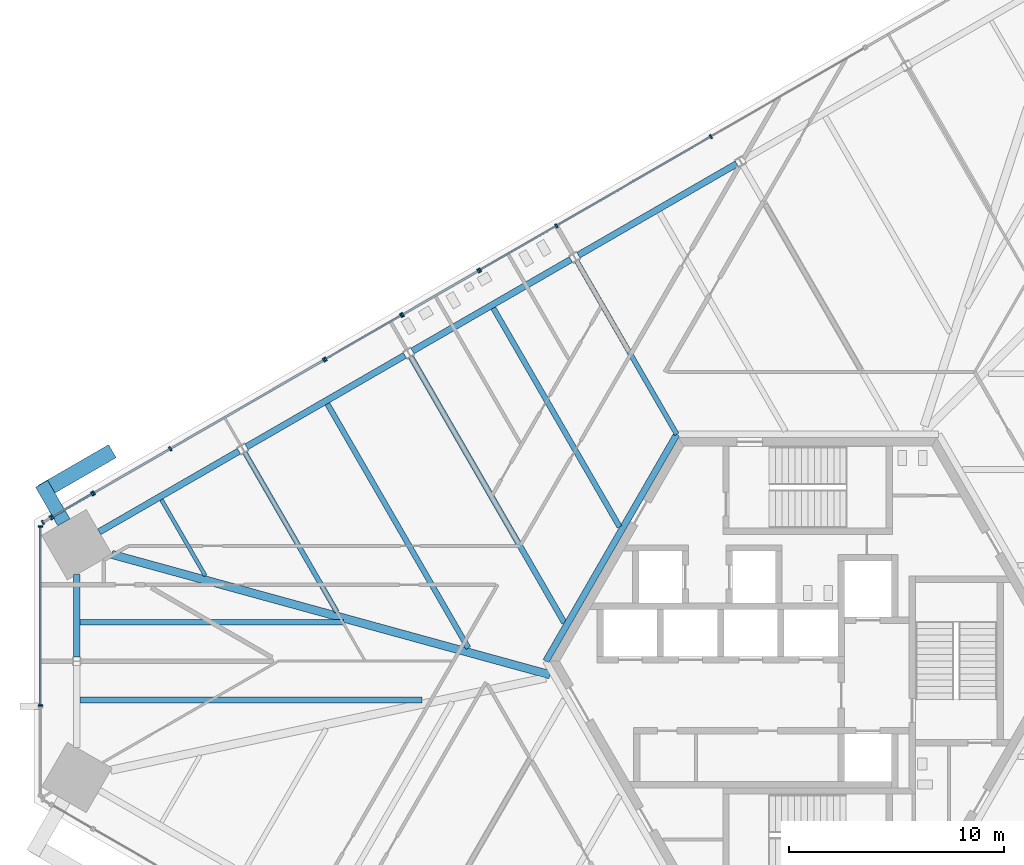
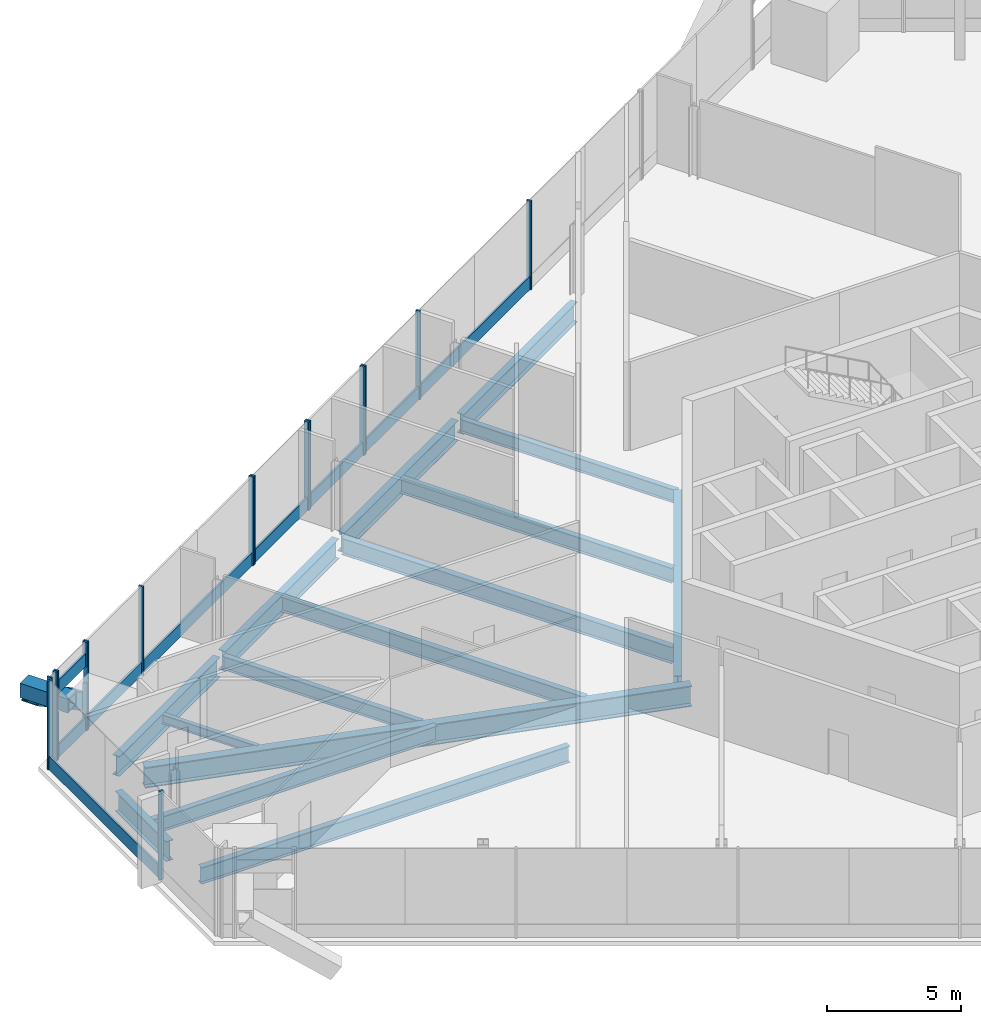
# One storey, part 6 of 22: 29 members, 15 beams, 8 elements without a shape of their own.
"""IFC4 building model written with IfcOpenShell, lengths in metres."""

from ifc_helpers import new_model, si_unit, direction, frame, origin, origin_2d, place, context, subcontext, project, spatial, rectangle, hollow_rectangle, i_section, extrude, source, transform, mapped, material, material_profile, profile_set, type_object, element, aggregate, save


model = new_model("IFC4")

# Units and contexts
model_context = context("Model", 3, precision=1e-05, world=origin(), true_north=direction((0.0, 1.0)))
body_context = subcontext(model_context, "Body", "Model", "MODEL_VIEW")
ifc_project = project(units=[si_unit("LENGTHUNIT", "METRE"), si_unit("AREAUNIT", "SQUARE_METRE"), si_unit("VOLUMEUNIT", "CUBIC_METRE"), si_unit("PLANEANGLEUNIT", "RADIAN"), si_unit("MASSUNIT", "GRAM", prefix="KILO")], contexts=[model_context])

# Site, building, storey
site_placement = place(None, origin())
site = spatial("IfcSite", under=ifc_project, at=site_placement, CompositionType="ELEMENT")
building_placement = place(site_placement, origin())
building = spatial("IfcBuilding", under=site, at=building_placement, Name="Triune Harvest Tower", CompositionType="ELEMENT")
storey_placement = place(building_placement, frame((0.0, 0.0, 50.39990234375)))
storey = spatial("IfcBuildingStorey", under=building, at=storey_placement, Name="L11", CompositionType="ELEMENT", Elevation=50.39990234375)

# Beams
ifc_material_1 = material(Name="Steel ASTM A992 Gr 50", Category="steel")
ifc_material_profile_1 = material_profile(ifc_material_1, i_section(OverallWidth=0.3046875, OverallDepth=0.914306640625, WebThickness=0.0166015625, FlangeThickness=0.02587890625, at=origin_2d()), Name="W36x160")
ifc_profile_set_1 = profile_set([ifc_material_profile_1], Name="Steel ASTM A992 Gr 50")
beam_type_1 = type_object("IfcBeamType", Name="CG-1 Core ring girder W36x160", PredefinedType="BEAM", material=ifc_profile_set_1)
shared_shape_1 = source(origin(), body_context, "Body", "SweptSolid", [
    extrude(i_section(OverallWidth=0.3046875, OverallDepth=0.914306640625, WebThickness=0.0166015625, FlangeThickness=0.02587890625, at=origin_2d()), origin(), (0.0, 0.0, 1.0), 12.176025390625),
])
beam_1_placement = place(storey_placement, frame((-6.087890625, 10.544677734375, -0.656982421875), z_axis=(-0.5000099932, -0.866019634131, 0.0), x_axis=(0.866019634131, -0.5000099932, 0.0)))
element("IfcBeam", 1, at=beam_1_placement, inside=storey, type_object=beam_type_1, Name="beam/L11/CG3", PredefinedType="BEAM", context=body_context, shape_type="MappedRepresentation", body=[
    mapped(shared_shape_1, transform((0.0, 0.0, 0.0), scale=1.0)),
])
ifc_material_2 = material(Name="Steel ASTM A992 Gr 50", Category="steel")
ifc_material_profile_2 = material_profile(ifc_material_2, i_section(OverallWidth=0.383544921875, OverallDepth=0.9423828125, WebThickness=0.022216796875, FlangeThickness=0.039794921875, at=origin_2d()), Name="W36x232")
ifc_profile_set_2 = profile_set([ifc_material_profile_2], Name="Steel ASTM A992 Gr 50")
beam_type_2 = type_object("IfcBeamType", Name="HG-1 Hip girder W36x232", PredefinedType="BEAM", material=ifc_profile_set_2)
shared_shape_2 = source(origin(), body_context, "Body", "SweptSolid", [
    extrude(i_section(OverallWidth=0.383544921875, OverallDepth=0.9423828125, WebThickness=0.022216796875, FlangeThickness=0.039794921875, at=origin_2d()), origin(), (0.0, 0.0, 1.0), 21.13232421875),
])
beam_2_placement = place(storey_placement, frame((-32.3623046875, 4.963134765625, -0.671142578125), z_axis=(0.964269976316, -0.264921521918, 0.0), x_axis=(0.264921521918, 0.964269976316, 0.0)))
element("IfcBeam", 2, at=beam_2_placement, inside=storey, type_object=beam_type_2, Name="beam/L11/HG4", PredefinedType="BEAM", context=body_context, shape_type="MappedRepresentation", body=[
    mapped(shared_shape_2, transform((0.0, 0.0, 0.0), scale=1.0)),
])
ifc_material_3 = material(Name="Steel ASTM A992 Gr 50", Category="steel")
ifc_material_profile_3 = material_profile(ifc_material_3, i_section(OverallWidth=0.2666015625, OverallDepth=0.7568359375, WebThickness=0.013916015625, FlangeThickness=0.019287109375, at=origin_2d()), Name="W30x108")
ifc_profile_set_3 = profile_set([ifc_material_profile_3], Name="Steel ASTM A992 Gr 50")
beam_type_3 = type_object("IfcBeamType", Name="JT-5 Floor joist W30x108", PredefinedType="JOIST", material=ifc_profile_set_3)
shared_shape_3 = source(origin(), body_context, "Body", "SweptSolid", [
    extrude(i_section(OverallWidth=0.2666015625, OverallDepth=0.7568359375, WebThickness=0.013916015625, FlangeThickness=0.019287109375, at=origin_2d()), origin(), (0.0, 0.0, 1.0), 14.2685546875),
])
beam_3_placement = place(storey_placement, frame((-18.454345703125, 14.14404296875, -0.578369140625), z_axis=(0.499987083308, -0.866032861112, 0.0), x_axis=(0.866032861112, 0.499987083308, 0.0)))
element("IfcBeam", 3, at=beam_3_placement, inside=storey, type_object=beam_type_3, Name="beam/L11/JT21", PredefinedType="JOIST", context=body_context, shape_type="MappedRepresentation", body=[
    mapped(shared_shape_3, transform((0.0, 0.0, 0.0), scale=1.0)),
])
ifc_material_4 = material(Name="Steel ASTM A992 Gr 50", Category="steel")
ifc_material_profile_4 = material_profile(ifc_material_4, i_section(OverallWidth=0.22900390625, OverallDepth=0.612060546875, WebThickness=0.011962890625, FlangeThickness=0.01953125, at=origin_2d()), Name="W24x84")
ifc_profile_set_4 = profile_set([ifc_material_profile_4], Name="Steel ASTM A992 Gr 50")
beam_type_4 = type_object("IfcBeamType", Name="JT-3 Floor joist W24x84", PredefinedType="JOIST", material=ifc_profile_set_4)
shared_shape_4 = source(origin(), body_context, "Body", "SweptSolid", [
    extrude(i_section(OverallWidth=0.22900390625, OverallDepth=0.612060546875, WebThickness=0.011962890625, FlangeThickness=0.01953125, at=origin_2d()), origin(), (0.0, 0.0, 1.0), 8.54736328125),
])
beam_4_placement = place(storey_placement, frame((-26.170654296875, 9.68896484375, -0.506103515625), z_axis=(0.500006795031, -0.866021480636, 0.0), x_axis=(0.866021480636, 0.500006795031, 0.0)))
element("IfcBeam", 4, at=beam_4_placement, inside=storey, type_object=beam_type_4, Name="beam/L11/JT23", PredefinedType="JOIST", context=body_context, shape_type="MappedRepresentation", body=[
    mapped(shared_shape_4, transform((0.0, 0.0, 0.0), scale=1.0)),
])
shared_shape_5 = source(origin(), body_context, "Body", "SweptSolid", [
    extrude(i_section(OverallWidth=0.22900390625, OverallDepth=0.612060546875, WebThickness=0.011962890625, FlangeThickness=0.01953125, at=origin_2d()), origin(), (0.0, 0.0, 1.0), 9.300537109375),
])
beam_5_placement = place(storey_placement, frame((-10.738037109375, 18.59912109375, -0.506103515625), z_axis=(0.49999285859, -0.86602952684, 0.0), x_axis=(0.86602952684, 0.49999285859, 0.0)))
element("IfcBeam", 5, at=beam_5_placement, inside=storey, type_object=beam_type_4, Name="beam/L11/JT19", PredefinedType="JOIST", context=body_context, shape_type="MappedRepresentation", body=[
    mapped(shared_shape_5, transform((0.0, 0.0, 0.0), scale=1.0)),
])
ifc_material_5 = material(Name="Steel ASTM A992 Gr 50", Category="steel")
ifc_material_profile_5 = material_profile(ifc_material_5, i_section(OverallWidth=0.3046875, OverallDepth=0.914306640625, WebThickness=0.0166015625, FlangeThickness=0.02587890625, at=origin_2d()), Name="W36x160")
ifc_profile_set_5 = profile_set([ifc_material_profile_5], Name="Steel ASTM A992 Gr 50")
beam_type_5 = type_object("IfcBeamType", Name="SB-1 Spandrel beam W36x160", PredefinedType="SPANDREL", material=ifc_profile_set_5)
shared_shape_6 = source(origin(), body_context, "Body", "SweptSolid", [
    extrude(i_section(OverallWidth=0.3046875, OverallDepth=0.914306640625, WebThickness=0.0166015625, FlangeThickness=0.02587890625, at=origin_2d()), origin(), (0.0, 0.0, 1.0), 7.508056640625),
])
beam_6_placement = place(storey_placement, frame((-26.447265625, 9.763916015625, -0.656982421875), z_axis=(-0.866033425553, -0.499986105632, 0.0), x_axis=(0.499986105632, -0.866033425553, 0.0)))
element("IfcBeam", 6, at=beam_6_placement, inside=storey, type_object=beam_type_5, Name="beam/L11/SB14", PredefinedType="SPANDREL", context=body_context, shape_type="MappedRepresentation", body=[
    mapped(shared_shape_6, transform((0.0, 0.0, 0.0), scale=1.0)),
])
shared_shape_7 = source(origin(), body_context, "Body", "SweptSolid", [
    extrude(i_section(OverallWidth=0.3046875, OverallDepth=0.914306640625, WebThickness=0.0166015625, FlangeThickness=0.02587890625, at=origin_2d()), origin(), (0.0, 0.0, 1.0), 8.506103515625),
])
for number, where, z_axis, x_axis, name in (
    (7, (-3.29833984375, 23.12890625, -0.656982421875), (-0.866030246746, -0.49999161165, 0.0), (0.49999161165, -0.866030246746, 0.0), "beam/L11/SB11"),
    (8, (-11.0146484375, 18.674072265625, -0.656982421875), (-0.866017818397, -0.500013138047, 0.0), (0.500013138047, -0.866017818397, 0.0), "beam/L11/SB12"),
    (9, (-18.73095703125, 14.218994140625, -0.656982421875), (-0.866030246746, -0.49999161165, 0.0), (0.49999161165, -0.866030246746, 0.0), "beam/L11/SB13"),
):
    element("IfcBeam", number, at=place(storey_placement, frame(where, z_axis=z_axis, x_axis=x_axis)), inside=storey, type_object=beam_type_5, Name=name, PredefinedType="SPANDREL", context=body_context, shape_type="MappedRepresentation", body=[
        mapped(shared_shape_7, transform((0.0, 0.0, 0.0), scale=1.0)),
    ])
shared_shape_8 = source(origin(), body_context, "Body", "SweptSolid", [
    extrude(i_section(OverallWidth=0.3046875, OverallDepth=0.914306640625, WebThickness=0.0166015625, FlangeThickness=0.02587890625, at=origin_2d()), origin(), (0.0, 0.0, 1.0), 3.822509765625),
])
beam_7_placement = place(storey_placement, frame((-33.988525390625, 4.0244140625, -0.656982421875), z_axis=(0.0, -1.0, 0.0), x_axis=(1.0, 0.0, 0.0)))
element("IfcBeam", 10, at=beam_7_placement, inside=storey, type_object=beam_type_5, Name="beam/L11/SB15", PredefinedType="SPANDREL", context=body_context, shape_type="MappedRepresentation", body=[
    mapped(shared_shape_8, transform((0.0, 0.0, 0.0), scale=1.0)),
])
ifc_material_6 = material(Name="Steel ASTM A992 Gr 50", Category="steel")
ifc_material_profile_6 = material_profile(ifc_material_6, i_section(OverallWidth=0.180908203125, OverallDepth=0.41650390625, WebThickness=0.010986328125, FlangeThickness=0.01806640625, at=origin_2d()), Name="W16x57")
ifc_profile_set_6 = profile_set([ifc_material_profile_6], Name="Steel ASTM A992 Gr 50")
beam_type_6 = type_object("IfcBeamType", Name="JT-1 Floor joist W16x57", PredefinedType="JOIST", material=ifc_profile_set_6)
shared_shape_9 = source(origin(), body_context, "Body", "SweptSolid", [
    extrude(i_section(OverallWidth=0.180908203125, OverallDepth=0.41650390625, WebThickness=0.010986328125, FlangeThickness=0.01806640625, at=origin_2d()), origin(), (0.0, 0.0, 1.0), 4.08642578125),
])
beam_8_placement = place(storey_placement, frame((-30.05419921875, 7.505615234375, -0.408203125), z_axis=(0.49998792433, -0.866032375563, 0.0), x_axis=(0.866032375563, 0.49998792433, 0.0)))
element("IfcBeam", 11, at=beam_8_placement, inside=storey, type_object=beam_type_6, Name="beam/L11/JT24", PredefinedType="JOIST", context=body_context, shape_type="MappedRepresentation", body=[
    mapped(shared_shape_9, transform((0.0, 0.0, 0.0), scale=1.0)),
])
ifc_material_7 = material(Name="Steel ASTM A992 Gr 50", Category="steel")
ifc_material_profile_7 = material_profile(ifc_material_7, i_section(OverallWidth=0.253662109375, OverallDepth=0.683349609375, WebThickness=0.012451171875, FlangeThickness=0.01904296875, at=origin_2d()), Name="W27x94")
ifc_profile_set_7 = profile_set([ifc_material_profile_7], Name="Steel ASTM A992 Gr 50")
beam_type_7 = type_object("IfcBeamType", Name="JT-4 Floor joist W27x94", PredefinedType="JOIST", material=ifc_profile_set_7)
shared_shape_10 = source(origin(), body_context, "Body", "SweptSolid", [
    extrude(i_section(OverallWidth=0.253662109375, OverallDepth=0.683349609375, WebThickness=0.012451171875, FlangeThickness=0.01904296875, at=origin_2d()), origin(), (0.0, 0.0, 1.0), 12.2509765625),
])
beam_9_placement = place(storey_placement, frame((-33.836181640625, 1.80322265625, -0.54150390625), z_axis=(1.0, 0.0, 0.0), x_axis=(0.0, 1.0, 0.0)))
element("IfcBeam", 12, at=beam_9_placement, inside=storey, type_object=beam_type_7, Name="beam/L11/JT25", PredefinedType="JOIST", context=body_context, shape_type="MappedRepresentation", body=[
    mapped(shared_shape_10, transform((0.0, 0.0, 0.0), scale=1.0)),
])
shared_shape_11 = source(origin(), body_context, "Body", "SweptSolid", [
    extrude(i_section(OverallWidth=0.2666015625, OverallDepth=0.7568359375, WebThickness=0.013916015625, FlangeThickness=0.019287109375, at=origin_2d()), origin(), (0.0, 0.0, 1.0), 15.90771484375),
])
beam_10_placement = place(storey_placement, frame((-33.836181640625, -1.80322265625, -0.578369140625), z_axis=(1.0, 0.0, 0.0), x_axis=(0.0, 1.0, 0.0)))
element("IfcBeam", 13, at=beam_10_placement, inside=storey, type_object=beam_type_3, Name="beam/L11/JT26", PredefinedType="JOIST", context=body_context, shape_type="MappedRepresentation", body=[
    mapped(shared_shape_11, transform((0.0, 0.0, 0.0), scale=1.0)),
])
shared_shape_12 = source(origin(), body_context, "Body", "SweptSolid", [
    extrude(i_section(OverallWidth=0.253662109375, OverallDepth=0.683349609375, WebThickness=0.012451171875, FlangeThickness=0.01904296875, at=origin_2d()), origin(), (0.0, 0.0, 1.0), 11.7470703125),
])
beam_11_placement = place(storey_placement, frame((-14.62158203125, 16.41552734375, -0.54150390625), z_axis=(0.49999710518, -0.866027075103, 0.0), x_axis=(0.866027075103, 0.49999710518, 0.0)))
element("IfcBeam", 14, at=beam_11_placement, inside=storey, type_object=beam_type_7, Name="beam/L11/JT20", PredefinedType="JOIST", context=body_context, shape_type="MappedRepresentation", body=[
    mapped(shared_shape_12, transform((0.0, 0.0, 0.0), scale=1.0)),
])
shared_shape_13 = source(origin(), body_context, "Body", "SweptSolid", [
    extrude(i_section(OverallWidth=0.253662109375, OverallDepth=0.683349609375, WebThickness=0.012451171875, FlangeThickness=0.01904296875, at=origin_2d()), origin(), (0.0, 0.0, 1.0), 13.10986328125),
])
beam_12_placement = place(storey_placement, frame((-22.337890625, 11.96044921875, -0.54150390625), z_axis=(0.499998646344, -0.866026185317, 0.0), x_axis=(0.866026185317, 0.499998646344, 0.0)))
element("IfcBeam", 15, at=beam_12_placement, inside=storey, type_object=beam_type_7, Name="beam/L11/JT22", PredefinedType="JOIST", context=body_context, shape_type="MappedRepresentation", body=[
    mapped(shared_shape_13, transform((0.0, 0.0, 0.0), scale=1.0)),
])

# Members
ifc_material_8 = material(Name="Steel ASTM A572 Gr 50", Category="steel")
ifc_material_profile_8 = material_profile(ifc_material_8, hollow_rectangle(XDim=0.699951171875, YDim=0.699951171875, WallThickness=0.0400390625, at=origin_2d()), Name="Box 700x700x40")
ifc_profile_set_8 = profile_set([ifc_material_profile_8], Name="Steel ASTM A572 Gr 50")
member_type_1 = type_object("IfcMemberType", Name="BR-1 Brace Box 700x700x40", PredefinedType="BRACE", material=ifc_profile_set_8)
shared_shape_14 = source(origin(), body_context, "Body", "SweptSolid", [
    extrude(hollow_rectangle(XDim=0.699951171875, YDim=0.699951171875, WallThickness=0.0400390625, at=origin_2d()), origin(), (0.0, 0.0, 1.0), 4.109375),
])
member_1_placement = place(storey_placement, frame((-32.50244140625, 9.6650390625, 0.0), z_axis=(-0.71962360977, -0.415448518379, 0.556367134937), x_axis=(0.499976201572, -0.866039143377, 0.0)))
element("IfcMember", 16, at=member_1_placement, inside=storey, type_object=member_type_1, Name="brace/B1-F3/d1/9", PredefinedType="BRACE", context=body_context, shape_type="MappedRepresentation", body=[
    mapped(shared_shape_14, transform((0.0, 0.0, 0.0), scale=1.0)),
])
ifc_material_9 = material(Name="Steel ASTM A572 Gr 50", Category="steel")
ifc_material_profile_9 = material_profile(ifc_material_9, hollow_rectangle(XDim=0.64990234375, YDim=0.64990234375, WallThickness=0.070068359375, at=origin_2d()), Name="Box 650x650x70")
ifc_profile_set_9 = profile_set([ifc_material_profile_9], Name="Steel ASTM A572 Gr 50")
member_type_2 = type_object("IfcMemberType", Name="BS-1 Brace stub Box 650x650x70", PredefinedType="STRUT", material=ifc_profile_set_9)
shared_shape_15 = source(origin(), body_context, "Body", "SweptSolid", [
    extrude(hollow_rectangle(XDim=0.64990234375, YDim=0.64990234375, WallThickness=0.070068359375, at=origin_2d()), origin(), (0.0, 0.0, 1.0), 2.07177734375),
])
member_2_placement = place(storey_placement, frame((-34.588623046875, 6.44921875, 2.550048828125), z_axis=(-0.500004672885, 0.866022705876, 0.0), x_axis=(-0.866022705876, -0.500004672885, 0.0)))
element("IfcMember", 17, at=member_2_placement, inside=storey, type_object=member_type_2, Name="brace/B1-F3/stub2", PredefinedType="STRUT", context=body_context, shape_type="MappedRepresentation", body=[
    mapped(shared_shape_15, transform((0.0, 0.0, 0.0), scale=1.0)),
])

# Curtain wall, member
ifc_material_10 = material(Name="Aluminium bronze anodised", Category="aluminium")
curtain_wall_type_1 = type_object("IfcCurtainWallType", Name="CW-3 Farm floor curtain wall", PredefinedType="NOTDEFINED", material=ifc_material_10)
curtain_wall_1_placement = place(storey_placement, origin())
curtain_wall_1 = element("IfcCurtainWall", 18, at=curtain_wall_1_placement, inside=storey, type_object=curtain_wall_type_1, Name="CW-3 B1-F4 L11 run 1")
ifc_material_11 = material(Name="Aluminium bronze anodised", Category="aluminium")
ifc_material_profile_10 = material_profile(ifc_material_11, rectangle(XDim=0.090087890625, YDim=0.60009765625, at=origin_2d()), Name="TR-3 transom 90 x 600")
ifc_profile_set_10 = profile_set([ifc_material_profile_10], Name="Aluminium bronze anodised")
member_type_3 = type_object("IfcMemberType", Name="TR-3 transom 90 x 600", PredefinedType="USERDEFINED", material=ifc_profile_set_10)
shared_shape_16 = source(origin(), body_context, "Body", "SweptSolid", [
    extrude(rectangle(XDim=0.090087890625, YDim=0.60009765625, at=origin_2d()), origin(), (0.0, 0.0, 1.0), 8.235595703125),
])
member_3_placement = place(storey_placement, frame((-35.680419921875, 6.216796875, 0.300048828125), z_axis=(0.0, -1.0, 0.0), x_axis=(1.0, 0.0, 0.0)))
member_3 = element("IfcMember", 19, at=member_3_placement, type_object=member_type_3, Name="CW-3 transom B1-F4 1.1", ObjectType="TRANSOM", PredefinedType="USERDEFINED", context=body_context, shape_type="MappedRepresentation", body=[
    mapped(shared_shape_16, transform((0.0, 0.0, 0.0), scale=1.0)),
])

# Curtain wall, members
ifc_material_12 = material(Name="Aluminium bronze anodised", Category="aluminium")
curtain_wall_type_2 = type_object("IfcCurtainWallType", Name="CW-8 Farm floor curtain wall with insulated spandrel infill", PredefinedType="NOTDEFINED", material=ifc_material_12)
curtain_wall_2_placement = place(storey_placement, origin())
curtain_wall_2 = element("IfcCurtainWall", 20, at=curtain_wall_2_placement, inside=storey, type_object=curtain_wall_type_2, Name="CW-8 B1-F3 L11 run 301")
ifc_material_13 = material(Name="Aluminium bronze anodised", Category="aluminium")
ifc_material_profile_11 = material_profile(ifc_material_13, rectangle(XDim=0.199951171875, YDim=0.080078125, at=origin_2d()), Name="MU-3 mullion 80 x 200")
ifc_profile_set_11 = profile_set([ifc_material_profile_11], Name="Aluminium bronze anodised")
member_type_4 = type_object("IfcMemberType", Name="MU-3 mullion 80 x 200", PredefinedType="MULLION", material=ifc_profile_set_11)
shared_shape_17 = source(origin(), body_context, "Body", "SweptSolid", [
    extrude(rectangle(XDim=0.199951171875, YDim=0.080078125, at=origin_2d()), origin(), (0.0, 0.0, 1.0), 2.1650390625),
])
member_4_placement = place(storey_placement, frame((-33.268310546875, 7.779541015625, 0.0), z_axis=(0.0, 0.0, 1.0), x_axis=(0.499991148709, -0.86603051402, 0.0)))
member_4 = element("IfcMember", 21, at=member_4_placement, type_object=member_type_4, Name="CW-8 mullion B1-F3 301.1", PredefinedType="MULLION", context=body_context, shape_type="MappedRepresentation", body=[
    mapped(shared_shape_17, transform((0.0, 0.0, 0.0), scale=1.0)),
])
member_5_placement = place(storey_placement, frame((-35.13330078125, 6.70263671875, 0.0), z_axis=(0.0, 0.0, 1.0), x_axis=(0.499991148709, -0.86603051402, 0.0)))
member_5 = element("IfcMember", 22, at=member_5_placement, type_object=member_type_4, Name="CW-8 mullion B1-F3 301.2", PredefinedType="MULLION", context=body_context, shape_type="MappedRepresentation", body=[
    mapped(shared_shape_17, transform((0.0, 0.0, 0.0), scale=1.0)),
])

curtain_wall_3_placement = place(storey_placement, origin())
curtain_wall_3 = element("IfcCurtainWall", 23, at=curtain_wall_3_placement, inside=storey, type_object=curtain_wall_type_1, Name="CW-3 B1-F3 L11 run 401")
shared_shape_18 = source(origin(), body_context, "Body", "SweptSolid", [
    extrude(rectangle(XDim=0.199951171875, YDim=0.080078125, at=origin_2d()), origin(), (0.0, 0.0, 1.0), 1.114990234375),
])
member_6_placement = place(storey_placement, frame((-33.268310546875, 7.779541015625, 2.93505859375), z_axis=(0.0, 0.0, 1.0), x_axis=(0.499991148709, -0.86603051402, 0.0)))
member_6 = element("IfcMember", 24, at=member_6_placement, type_object=member_type_4, Name="CW-3 mullion B1-F3 401.1", PredefinedType="MULLION", context=body_context, shape_type="MappedRepresentation", body=[
    mapped(shared_shape_18, transform((0.0, 0.0, 0.0), scale=1.0)),
])
member_7_placement = place(storey_placement, frame((-35.13330078125, 6.70263671875, 2.93505859375), z_axis=(0.0, 0.0, 1.0), x_axis=(0.499991148709, -0.86603051402, 0.0)))
member_7 = element("IfcMember", 25, at=member_7_placement, type_object=member_type_4, Name="CW-3 mullion B1-F3 401.2", PredefinedType="MULLION", context=body_context, shape_type="MappedRepresentation", body=[
    mapped(shared_shape_18, transform((0.0, 0.0, 0.0), scale=1.0)),
])

curtain_wall_4_placement = place(storey_placement, origin())
curtain_wall_4 = element("IfcCurtainWall", 26, at=curtain_wall_4_placement, inside=storey, type_object=curtain_wall_type_1, Name="CW-3 B1-F3 L11 run 1201")
shared_shape_19 = source(origin(), body_context, "Body", "SweptSolid", [
    extrude(rectangle(XDim=0.199951171875, YDim=0.080078125, at=origin_2d()), origin(), (0.0, 0.0, 1.0), 4.050048828125),
])
member_8_placement = place(storey_placement, frame((-4.5029296875, 24.38720703125, 0.0), z_axis=(0.0, 0.0, 1.0), x_axis=(0.499998269408, -0.86602640294, 0.0)))
member_8 = element("IfcMember", 27, at=member_8_placement, type_object=member_type_4, Name="CW-3 mullion B1-F3 1201.3", PredefinedType="MULLION", context=body_context, shape_type="MappedRepresentation", body=[
    mapped(shared_shape_19, transform((0.0, 0.0, 0.0), scale=1.0)),
])
member_9_placement = place(storey_placement, frame((-11.685791015625, 20.240234375, 0.0), z_axis=(0.0, 0.0, 1.0), x_axis=(0.499998269408, -0.86602640294, 0.0)))
member_9 = element("IfcMember", 28, at=member_9_placement, type_object=member_type_4, Name="CW-3 mullion B1-F3 1201.5", PredefinedType="MULLION", context=body_context, shape_type="MappedRepresentation", body=[
    mapped(shared_shape_19, transform((0.0, 0.0, 0.0), scale=1.0)),
])
member_10_placement = place(storey_placement, frame((-15.242431640625, 18.186767578125, 0.0), z_axis=(0.0, 0.0, 1.0), x_axis=(0.499998269408, -0.86602640294, 0.0)))
member_10 = element("IfcMember", 29, at=member_10_placement, type_object=member_type_4, Name="CW-3 mullion B1-F3 1201.6", PredefinedType="MULLION", context=body_context, shape_type="MappedRepresentation", body=[
    mapped(shared_shape_19, transform((0.0, 0.0, 0.0), scale=1.0)),
])

curtain_wall_5_placement = place(storey_placement, origin())
curtain_wall_5 = element("IfcCurtainWall", 30, at=curtain_wall_5_placement, inside=storey, type_object=curtain_wall_type_2, Name="CW-8 B1-F3 L11 run 2201")
member_11_placement = place(storey_placement, frame((-15.3115234375, 18.146728515625, 0.0), z_axis=(0.0, 0.0, 1.0), x_axis=(0.500011209208, -0.866018932048, 0.0)))
member_11 = element("IfcMember", 31, at=member_11_placement, type_object=member_type_4, Name="CW-8 mullion B1-F3 2201.1", PredefinedType="MULLION", context=body_context, shape_type="MappedRepresentation", body=[
    mapped(shared_shape_19, transform((0.0, 0.0, 0.0), scale=1.0)),
])
member_12_placement = place(storey_placement, frame((-18.833740234375, 16.11328125, 0.0), z_axis=(0.0, 0.0, 1.0), x_axis=(0.500011209208, -0.866018932048, 0.0)))
member_12 = element("IfcMember", 32, at=member_12_placement, type_object=member_type_4, Name="CW-8 mullion B1-F3 2201.2", PredefinedType="MULLION", context=body_context, shape_type="MappedRepresentation", body=[
    mapped(shared_shape_19, transform((0.0, 0.0, 0.0), scale=1.0)),
])

curtain_wall_6_placement = place(storey_placement, origin())
curtain_wall_6 = element("IfcCurtainWall", 33, at=curtain_wall_6_placement, inside=storey, type_object=curtain_wall_type_1, Name="CW-3 B1-F3 L11 run 3201")
member_13_placement = place(storey_placement, frame((-18.90283203125, 16.0732421875, 0.0), z_axis=(0.0, 0.0, 1.0), x_axis=(0.499993123372, -0.866029373971, 0.0)))
member_13 = element("IfcMember", 34, at=member_13_placement, type_object=member_type_4, Name="CW-3 mullion B1-F3 3201.1", PredefinedType="MULLION", context=body_context, shape_type="MappedRepresentation", body=[
    mapped(shared_shape_19, transform((0.0, 0.0, 0.0), scale=1.0)),
])
member_14_placement = place(storey_placement, frame((-22.425048828125, 14.039794921875, 0.0), z_axis=(0.0, 0.0, 1.0), x_axis=(0.499993123372, -0.866029373971, 0.0)))
member_14 = element("IfcMember", 35, at=member_14_placement, type_object=member_type_4, Name="CW-3 mullion B1-F3 3201.2", PredefinedType="MULLION", context=body_context, shape_type="MappedRepresentation", body=[
    mapped(shared_shape_19, transform((0.0, 0.0, 0.0), scale=1.0)),
])

curtain_wall_7_placement = place(storey_placement, origin())
curtain_wall_7 = element("IfcCurtainWall", 36, at=curtain_wall_7_placement, inside=storey, type_object=curtain_wall_type_2, Name="CW-8 B1-F3 L11 run 4201")
member_15_placement = place(storey_placement, frame((-22.494140625, 14.0, 0.0), z_axis=(0.0, 0.0, 1.0), x_axis=(0.500001700043, -0.866024422262, 0.0)))
member_15 = element("IfcMember", 37, at=member_15_placement, type_object=member_type_4, Name="CW-8 mullion B1-F3 4201.1", PredefinedType="MULLION", context=body_context, shape_type="MappedRepresentation", body=[
    mapped(shared_shape_19, transform((0.0, 0.0, 0.0), scale=1.0)),
])
member_16_placement = place(storey_placement, frame((-29.642333984375, 9.873046875, 0.0), z_axis=(0.0, 0.0, 1.0), x_axis=(0.500001700043, -0.866024422262, 0.0)))
member_16 = element("IfcMember", 38, at=member_16_placement, type_object=member_type_4, Name="CW-8 mullion B1-F3 4201.3", PredefinedType="MULLION", context=body_context, shape_type="MappedRepresentation", body=[
    mapped(shared_shape_19, transform((0.0, 0.0, 0.0), scale=1.0)),
])
member_17_placement = place(storey_placement, frame((-33.198974609375, 7.819580078125, 0.0), z_axis=(0.0, 0.0, 1.0), x_axis=(0.500001700043, -0.866024422262, 0.0)))
member_17 = element("IfcMember", 39, at=member_17_placement, type_object=member_type_4, Name="CW-8 mullion B1-F3 4201.4", PredefinedType="MULLION", context=body_context, shape_type="MappedRepresentation", body=[
    mapped(shared_shape_19, transform((0.0, 0.0, 0.0), scale=1.0)),
])

curtain_wall_8_placement = place(storey_placement, origin())
curtain_wall_8 = element("IfcCurtainWall", 40, at=curtain_wall_8_placement, inside=storey, type_object=curtain_wall_type_1, Name="CW-3 B1-F3 L11 run 501")
member_18_placement = place(storey_placement, frame((-35.20263671875, 6.66259765625, 0.0), z_axis=(0.0, 0.0, 1.0), x_axis=(0.499975448906, -0.866039577901, 0.0)))
member_18 = element("IfcMember", 41, at=member_18_placement, type_object=member_type_4, Name="CW-3 mullion B1-F3 501.1", PredefinedType="MULLION", context=body_context, shape_type="MappedRepresentation", body=[
    mapped(shared_shape_19, transform((0.0, 0.0, 0.0), scale=1.0)),
])
member_19_placement = place(storey_placement, frame((-35.56787109375, 6.451904296875, 0.0), z_axis=(0.0, 0.0, 1.0), x_axis=(0.499975448906, -0.866039577901, 0.0)))
member_19 = element("IfcMember", 42, at=member_19_placement, type_object=member_type_4, Name="CW-3 mullion B1-F3 501.2", PredefinedType="MULLION", context=body_context, shape_type="MappedRepresentation", body=[
    mapped(shared_shape_19, transform((0.0, 0.0, 0.0), scale=1.0)),
])
aggregate(curtain_wall_8, [member_18, member_19])

# Member
member_20_placement = place(storey_placement, frame((-35.680419921875, 6.2568359375, 0.0), z_axis=(0.0, 0.0, 1.0), x_axis=(1.0, 0.0, 0.0)))
member_20 = element("IfcMember", 43, at=member_20_placement, type_object=member_type_4, Name="CW-3 mullion B1-F4 1.1", PredefinedType="MULLION", context=body_context, shape_type="MappedRepresentation", body=[
    mapped(shared_shape_19, transform((0.0, 0.0, 0.0), scale=1.0)),
])

member_21_placement = place(storey_placement, frame((-35.680419921875, -2.058837890625, 0.0), z_axis=(0.0, 0.0, 1.0), x_axis=(1.0, 0.0, 0.0)))
member_21 = element("IfcMember", 44, at=member_21_placement, type_object=member_type_4, Name="CW-3 mullion B1-F4 1.3", PredefinedType="MULLION", context=body_context, shape_type="MappedRepresentation", body=[
    mapped(shared_shape_19, transform((0.0, 0.0, 0.0), scale=1.0)),
])

aggregate(curtain_wall_1, [member_20, member_21, member_3])

shared_shape_20 = source(origin(), body_context, "Body", "SweptSolid", [
    extrude(rectangle(XDim=0.090087890625, YDim=0.60009765625, at=origin_2d()), origin(), (0.0, 0.0, 1.0), 8.173828125),
])
member_22_placement = place(storey_placement, frame((-22.52880859375, 13.97998046875, 0.300048828125), z_axis=(-0.866028909405, -0.499993928037, 0.0), x_axis=(0.499993928037, -0.866028909405, 0.0)))
member_22 = element("IfcMember", 45, at=member_22_placement, type_object=member_type_3, Name="CW-8 transom B1-F3 4201.1", ObjectType="TRANSOM", PredefinedType="USERDEFINED", context=body_context, shape_type="MappedRepresentation", body=[
    mapped(shared_shape_20, transform((0.0, 0.0, 0.0), scale=1.0)),
])

shared_shape_21 = source(origin(), body_context, "Body", "SweptSolid", [
    extrude(rectangle(XDim=0.090087890625, YDim=0.60009765625, at=origin_2d()), origin(), (0.0, 0.0, 1.0), 8.2138671875),
])
member_23_placement = place(storey_placement, frame((-4.53759765625, 24.3671875, 0.300048828125), z_axis=(-0.866028683029, -0.49999432014, 0.0), x_axis=(0.49999432014, -0.866028683029, 0.0)))
member_23 = element("IfcMember", 46, at=member_23_placement, type_object=member_type_3, Name="CW-3 transom B1-F3 1201.2", ObjectType="TRANSOM", PredefinedType="USERDEFINED", context=body_context, shape_type="MappedRepresentation", body=[
    mapped(shared_shape_21, transform((0.0, 0.0, 0.0), scale=1.0)),
])

shared_shape_22 = source(origin(), body_context, "Body", "SweptSolid", [
    extrude(rectangle(XDim=0.090087890625, YDim=0.60009765625, at=origin_2d()), origin(), (0.0, 0.0, 1.0), 4.02685546875),
])
member_24_placement = place(storey_placement, frame((-29.677001953125, 9.85302734375, 0.300048828125), z_axis=(-0.866022023556, -0.500005854681, 0.0), x_axis=(0.500005854681, -0.866022023556, 0.0)))
member_24 = element("IfcMember", 47, at=member_24_placement, type_object=member_type_3, Name="CW-8 transom B1-F3 4201.2", ObjectType="TRANSOM", PredefinedType="USERDEFINED", context=body_context, shape_type="MappedRepresentation", body=[
    mapped(shared_shape_22, transform((0.0, 0.0, 0.0), scale=1.0)),
])

aggregate(curtain_wall_7, [member_15, member_16, member_17, member_22, member_24])

shared_shape_23 = source(origin(), body_context, "Body", "SweptSolid", [
    extrude(rectangle(XDim=0.090087890625, YDim=0.60009765625, at=origin_2d()), origin(), (0.0, 0.0, 1.0), 3.987060546875),
])
member_25_placement = place(storey_placement, frame((-15.34619140625, 18.126708984375, 0.300048828125), z_axis=(-0.86603772933, -0.499978650921, 0.0), x_axis=(0.499978650921, -0.86603772933, 0.0)))
member_25 = element("IfcMember", 48, at=member_25_placement, type_object=member_type_3, Name="CW-8 transom B1-F3 2201.1", ObjectType="TRANSOM", PredefinedType="USERDEFINED", context=body_context, shape_type="MappedRepresentation", body=[
    mapped(shared_shape_23, transform((0.0, 0.0, 0.0), scale=1.0)),
])

aggregate(curtain_wall_5, [member_11, member_12, member_25])

member_26_placement = place(storey_placement, frame((-18.9375, 16.05322265625, 0.300048828125), z_axis=(-0.86603772933, -0.499978650921, 0.0), x_axis=(0.499978650921, -0.86603772933, 0.0)))
member_26 = element("IfcMember", 49, at=member_26_placement, type_object=member_type_3, Name="CW-3 transom B1-F3 3201.1", ObjectType="TRANSOM", PredefinedType="USERDEFINED", context=body_context, shape_type="MappedRepresentation", body=[
    mapped(shared_shape_23, transform((0.0, 0.0, 0.0), scale=1.0)),
])

aggregate(curtain_wall_6, [member_13, member_14, member_26])

shared_shape_24 = source(origin(), body_context, "Body", "SweptSolid", [
    extrude(rectangle(XDim=0.090087890625, YDim=0.60009765625, at=origin_2d()), origin(), (0.0, 0.0, 1.0), 4.027099609375),
])
member_27_placement = place(storey_placement, frame((-11.72021484375, 20.22021484375, 0.300048828125), z_axis=(-0.866037179922, -0.499979602577, 0.0), x_axis=(0.499979602577, -0.866037179922, 0.0)))
member_27 = element("IfcMember", 50, at=member_27_placement, type_object=member_type_3, Name="CW-3 transom B1-F3 1201.3", ObjectType="TRANSOM", PredefinedType="USERDEFINED", context=body_context, shape_type="MappedRepresentation", body=[
    mapped(shared_shape_24, transform((0.0, 0.0, 0.0), scale=1.0)),
])

aggregate(curtain_wall_4, [member_8, member_9, member_10, member_23, member_27])

shared_shape_25 = source(origin(), body_context, "Body", "SweptSolid", [
    extrude(rectangle(XDim=0.090087890625, YDim=0.60009765625, at=origin_2d()), origin(), (0.0, 0.0, 1.0), 2.073486328125),
])
member_28_placement = place(storey_placement, frame((-33.302978515625, 7.759521484375, 0.300048828125), z_axis=(-0.865995384394, -0.500051991505, 0.0), x_axis=(0.500051991505, -0.865995384394, 0.0)))
member_28 = element("IfcMember", 51, at=member_28_placement, type_object=member_type_3, Name="CW-8 transom B1-F3 301.1", ObjectType="TRANSOM", PredefinedType="USERDEFINED", context=body_context, shape_type="MappedRepresentation", body=[
    mapped(shared_shape_25, transform((0.0, 0.0, 0.0), scale=1.0)),
])

aggregate(curtain_wall_2, [member_4, member_5, member_28])

member_29_placement = place(storey_placement, frame((-33.302978515625, 7.759521484375, 3.235107421875), z_axis=(-0.865995384394, -0.500051991505, 0.0), x_axis=(0.500051991505, -0.865995384394, 0.0)))
member_29 = element("IfcMember", 52, at=member_29_placement, type_object=member_type_3, Name="CW-3 transom B1-F3 401.1", ObjectType="TRANSOM", PredefinedType="USERDEFINED", context=body_context, shape_type="MappedRepresentation", body=[
    mapped(shared_shape_25, transform((0.0, 0.0, 0.0), scale=1.0)),
])

aggregate(curtain_wall_3, [member_6, member_7, member_29])

save(model, "model.ifc")
